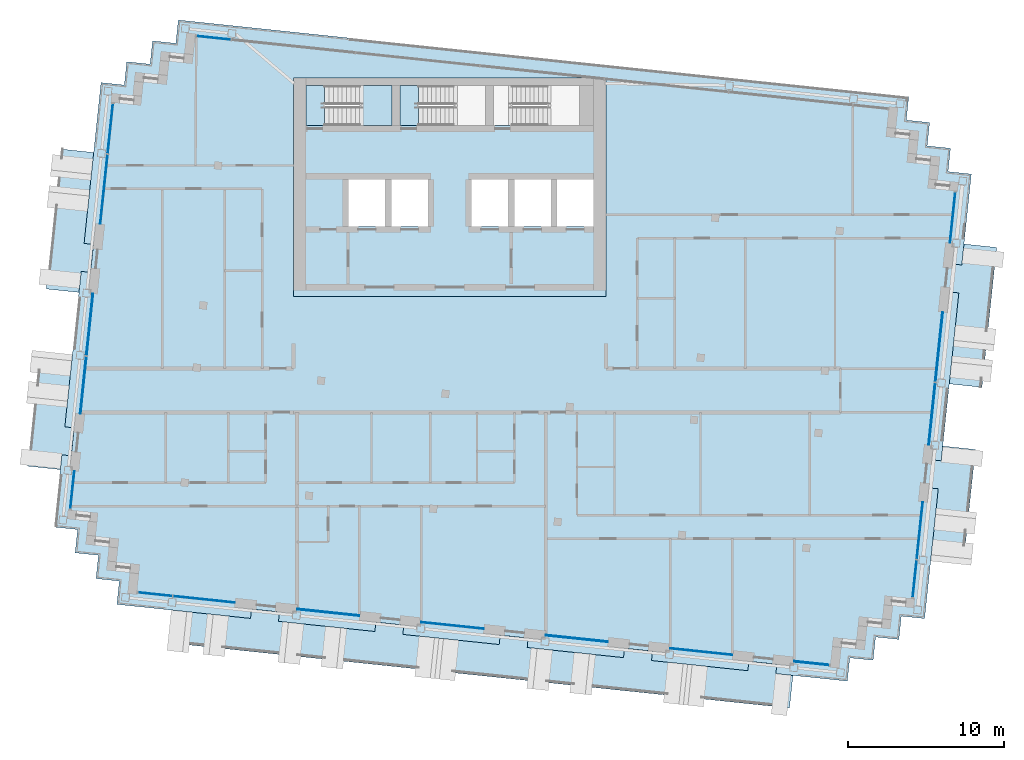
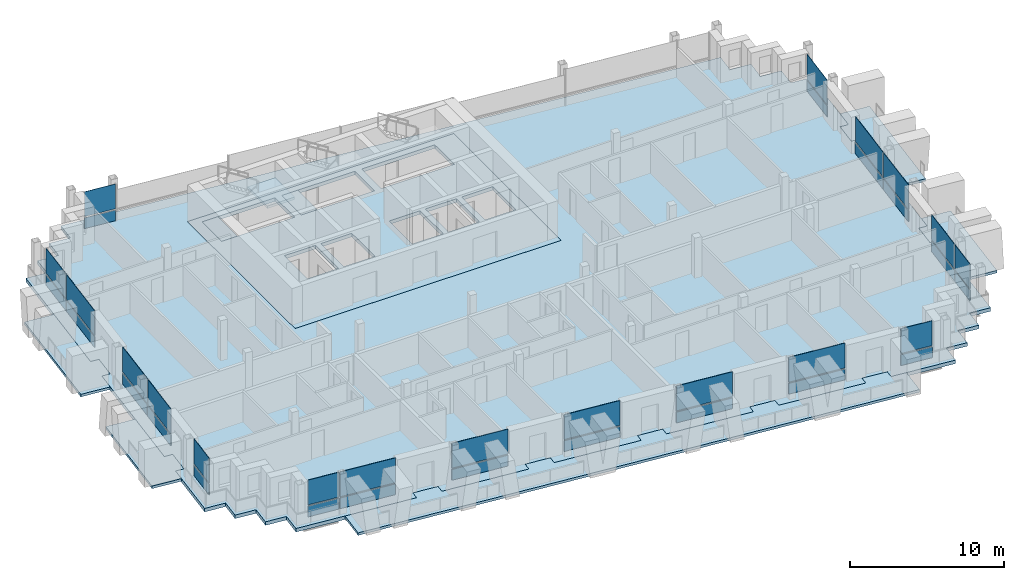
# One storey, part 7 of 16: 36 plates, 10 slabs, 14 elements without a shape of their own.
"""IFC4 building model written with IfcOpenShell, lengths in metres."""

from ifc_helpers import new_model, si_unit, direction, frame, origin, origin_2d, place, context, subcontext, project, spatial, polyline, rectangle, outline, extrude, material, layer, layer_set, type_object, element, aggregate, save


model = new_model("IFC4")

# Units and contexts
model_context = context("Model", 3, precision=1e-05, world=origin(), true_north=direction((0.0, 1.0)))
body_context = subcontext(model_context, "Body", "Model", "MODEL_VIEW")
ifc_project = project(units=[si_unit("LENGTHUNIT", "METRE"), si_unit("AREAUNIT", "SQUARE_METRE"), si_unit("VOLUMEUNIT", "CUBIC_METRE"), si_unit("PLANEANGLEUNIT", "RADIAN"), si_unit("MASSUNIT", "GRAM", prefix="KILO")], contexts=[model_context])

# Site, building, storey
site_placement = place(None, origin())
site = spatial("IfcSite", under=ifc_project, at=site_placement, CompositionType="ELEMENT")
building_placement = place(site_placement, origin())
building = spatial("IfcBuilding", under=site, at=building_placement, Name="Vidyagriha Tower", CompositionType="ELEMENT")
storey_placement = place(building_placement, frame((0.0, 0.0, 272.300048828125)))
storey = spatial("IfcBuildingStorey", under=building, at=storey_placement, Name="L71", CompositionType="ELEMENT", Elevation=272.300048828125)

# Curtain wall, plate
ifc_material_1 = material(Name="Aluminium and glass curtain wall", Category="aluminium")
curtain_wall_type = type_object("IfcCurtainWallType", Name="Dwelling skin unitised curtain wall", PredefinedType="USERDEFINED", material=ifc_material_1)
curtain_wall_1_placement = place(storey_placement, origin())
curtain_wall_1 = element("IfcCurtainWall", 1, at=curtain_wall_1_placement, inside=storey, type_object=curtain_wall_type, Name="CW1 dwelling skin", ObjectType="UNITISED", PredefinedType="USERDEFINED")
ifc_material_2 = material(Name="Glass dark ceramic-fritted spandrel", Category="glass")
ifc_layer_1 = layer(ifc_material_2, 0.0400390625)
ifc_layer_set_1 = layer_set([ifc_layer_1], Name="Glass dark ceramic-fritted spandrel")
plate_type_1 = type_object("IfcPlateType", Name="Ceramic-fritted spandrel panel", PredefinedType="CURTAIN_PANEL", material=ifc_layer_set_1)
plate_1_placement = place(storey_placement, frame((-15.11083984375, 22.56396484375, 0.0), z_axis=(0.0, 0.0, 1.0), x_axis=(-0.994521854435, 0.104528852722, 0.0)))
plate_1 = element("IfcPlate", 2, at=plate_1_placement, type_object=plate_type_1, Name="CW1 panel 7.1", PredefinedType="CURTAIN_PANEL", context=body_context, shape_type="SweptSolid", body=[
    extrude(rectangle(XDim=2.195068359375, YDim=0.0400390625, at=origin_2d()), origin(), (0.0, 0.0, 1.0), 0.85009765625),
])

# Curtain wall, plates
curtain_wall_2_placement = place(storey_placement, origin())
curtain_wall_2 = element("IfcCurtainWall", 3, at=curtain_wall_2_placement, inside=storey, type_object=curtain_wall_type, Name="CW1 dwelling skin", ObjectType="UNITISED", PredefinedType="USERDEFINED")
plate_2_placement = place(storey_placement, frame((-21.7216796875, 16.755615234375, 0.0), z_axis=(0.0, 0.0, 1.0), x_axis=(-0.104525282489, -0.994522229676, 0.0)))
plate_2 = element("IfcPlate", 4, at=plate_2_placement, type_object=plate_type_1, Name="CW1 panel 1.1", PredefinedType="CURTAIN_PANEL", context=body_context, shape_type="SweptSolid", body=[
    extrude(rectangle(XDim=3.195068359375, YDim=0.0400390625, at=origin_2d()), origin(), (0.0, 0.0, 1.0), 0.85009765625),
])
plate_3_placement = place(storey_placement, frame((-22.12939453125, 12.876953125, 0.0), z_axis=(0.0, 0.0, 1.0), x_axis=(-0.104525282489, -0.994522229676, 0.0)))
plate_3 = element("IfcPlate", 5, at=plate_3_placement, type_object=plate_type_1, Name="CW1 panel 2.1", PredefinedType="CURTAIN_PANEL", context=body_context, shape_type="SweptSolid", body=[
    extrude(rectangle(XDim=4.465087890625, YDim=0.0400390625, at=origin_2d()), origin(), (0.0, 0.0, 1.0), 0.85009765625),
])

# Curtain wall, plate
curtain_wall_3_placement = place(storey_placement, origin())
curtain_wall_3 = element("IfcCurtainWall", 6, at=curtain_wall_3_placement, inside=storey, type_object=curtain_wall_type, Name="CW1 dwelling skin", ObjectType="UNITISED", PredefinedType="USERDEFINED")
plate_4_placement = place(storey_placement, frame((-24.151611328125, -6.364501953125, 0.0), z_axis=(0.0, 0.0, 1.0), x_axis=(-0.10451613172, -0.994523191389, 0.0)))
plate_4 = element("IfcPlate", 7, at=plate_4_placement, type_object=plate_type_1, Name="CW1 panel 1.1", PredefinedType="CURTAIN_PANEL", context=body_context, shape_type="SweptSolid", body=[
    extrude(rectangle(XDim=2.43017578125, YDim=0.0400390625, at=origin_2d()), origin(), (0.0, 0.0, 1.0), 0.85009765625),
])

# Curtain wall, plates
curtain_wall_4_placement = place(storey_placement, origin())
curtain_wall_4 = element("IfcCurtainWall", 8, at=curtain_wall_4_placement, inside=storey, type_object=curtain_wall_type, Name="CW1 dwelling skin", ObjectType="UNITISED", PredefinedType="USERDEFINED")
plate_5_placement = place(storey_placement, frame((-18.852783203125, -13.0400390625, 0.0), z_axis=(0.0, 0.0, 1.0), x_axis=(0.994522400055, -0.104523661385, 0.0)))
plate_5 = element("IfcPlate", 9, at=plate_5_placement, type_object=plate_type_1, Name="CW1 panel 1.1", PredefinedType="CURTAIN_PANEL", context=body_context, shape_type="SweptSolid", body=[
    extrude(rectangle(XDim=2.195068359375, YDim=0.0400390625, at=origin_2d()), origin(), (0.0, 0.0, 1.0), 0.85009765625),
])
plate_6_placement = place(storey_placement, frame((-15.72021484375, -13.369384765625, 0.0), z_axis=(0.0, 0.0, 1.0), x_axis=(0.994522400055, -0.104523661385, 0.0)))
plate_6 = element("IfcPlate", 10, at=plate_6_placement, type_object=plate_type_1, Name="CW1 panel 2.1", PredefinedType="CURTAIN_PANEL", context=body_context, shape_type="SweptSolid", body=[
    extrude(rectangle(XDim=3.965087890625, YDim=0.0400390625, at=origin_2d()), origin(), (0.0, 0.0, 1.0), 0.85009765625),
])

# Curtain wall, plate
curtain_wall_5_placement = place(storey_placement, origin())
curtain_wall_5 = element("IfcCurtainWall", 11, at=curtain_wall_5_placement, inside=storey, type_object=curtain_wall_type, Name="CW1 dwelling skin", ObjectType="UNITISED", PredefinedType="USERDEFINED")
plate_7_placement = place(storey_placement, frame((0.1748046875, -15.039794921875, 0.0), z_axis=(0.0, 0.0, 1.0), x_axis=(0.994522016164, -0.104527313963, 0.0)))
plate_7 = element("IfcPlate", 12, at=plate_7_placement, type_object=plate_type_1, Name="CW1 panel 1.1", PredefinedType="CURTAIN_PANEL", context=body_context, shape_type="SweptSolid", body=[
    extrude(rectangle(XDim=4.0, YDim=0.0400390625, at=origin_2d()), origin(), (0.0, 0.0, 1.0), 0.85009765625),
])

curtain_wall_6_placement = place(storey_placement, origin())
curtain_wall_6 = element("IfcCurtainWall", 13, at=curtain_wall_6_placement, inside=storey, type_object=curtain_wall_type, Name="CW1 dwelling skin", ObjectType="UNITISED", PredefinedType="USERDEFINED")
plate_8_placement = place(storey_placement, frame((16.087158203125, -16.71240234375, 0.0), z_axis=(0.0, 0.0, 1.0), x_axis=(0.994522289309, -0.104524715101, 0.0)))
plate_8 = element("IfcPlate", 14, at=plate_8_placement, type_object=plate_type_1, Name="CW1 panel 1.1", PredefinedType="CURTAIN_PANEL", context=body_context, shape_type="SweptSolid", body=[
    extrude(rectangle(XDim=4.0, YDim=0.0400390625, at=origin_2d()), origin(), (0.0, 0.0, 1.0), 0.85009765625),
])

# Curtain wall, plates
curtain_wall_7_placement = place(storey_placement, origin())
curtain_wall_7 = element("IfcCurtainWall", 15, at=curtain_wall_7_placement, inside=storey, type_object=curtain_wall_type, Name="CW1 dwelling skin", ObjectType="UNITISED", PredefinedType="USERDEFINED")
plate_9_placement = place(storey_placement, frame((29.74951171875, -12.04736328125, 0.0), z_axis=(0.0, 0.0, 1.0), x_axis=(0.10453281607, 0.994521437861, 0.0)))
plate_9 = element("IfcPlate", 16, at=plate_9_placement, type_object=plate_type_1, Name="CW1 panel 1.1", PredefinedType="CURTAIN_PANEL", context=body_context, shape_type="SweptSolid", body=[
    extrude(rectangle(XDim=2.39501953125, YDim=0.0400390625, at=origin_2d()), origin(), (0.0, 0.0, 1.0), 0.85009765625),
])
plate_10_placement = place(storey_placement, frame((30.073486328125, -8.96435546875, 0.0), z_axis=(0.0, 0.0, 1.0), x_axis=(0.10453281607, 0.994521437861, 0.0)))
plate_10 = element("IfcPlate", 17, at=plate_10_placement, type_object=plate_type_1, Name="CW1 panel 2.1", PredefinedType="CURTAIN_PANEL", context=body_context, shape_type="SweptSolid", body=[
    extrude(rectangle(XDim=3.6650390625, YDim=0.0400390625, at=origin_2d()), origin(), (0.0, 0.0, 1.0), 0.85009765625),
])

# Curtain wall, plate
curtain_wall_8_placement = place(storey_placement, origin())
curtain_wall_8 = element("IfcCurtainWall", 18, at=curtain_wall_8_placement, inside=storey, type_object=curtain_wall_type, Name="CW1 dwelling skin", ObjectType="UNITISED", PredefinedType="USERDEFINED")
plate_11_placement = place(storey_placement, frame((32.1796875, 11.07275390625, 0.0), z_axis=(0.0, 0.0, 1.0), x_axis=(0.10451599791, 0.994523205451, 0.0)))
plate_11 = element("IfcPlate", 19, at=plate_11_placement, type_object=plate_type_1, Name="CW1 panel 1.1", PredefinedType="CURTAIN_PANEL", context=body_context, shape_type="SweptSolid", body=[
    extrude(rectangle(XDim=3.22998046875, YDim=0.0400390625, at=origin_2d()), origin(), (0.0, 0.0, 1.0), 0.85009765625),
])

# Slab
ifc_material_3 = material(Name="Concrete C60/75", Category="concrete")
ifc_layer_2 = layer(ifc_material_3, 0.280029296875)
ifc_layer_set_2 = layer_set([ifc_layer_2], Name="Concrete C60/75")
slab_type_1 = type_object("IfcSlabType", Name="Core floor slab 280 mm", PredefinedType="FLOOR", material=ifc_layer_set_2)
slab_1_placement = place(storey_placement, frame((0.0, 0.0, -0.280029296875)))
element("IfcSlab", 20, at=slab_1_placement, inside=storey, type_object=slab_type_1, Name="L71 core floor 1", PredefinedType="FLOOR", context=body_context, shape_type="SweptSolid", body=[
    extrude(outline(polyline([(-10.0, 6.0), (-10.0, 20.0), (10.0, 20.0), (10.0, 6.0), (-10.0, 6.0)]), holes=[polyline([(6.86669921875, 13.5), (6.86669921875, 10.5), (9.199951171875, 10.5), (9.199951171875, 13.5), (6.86669921875, 13.5)]), polyline([(4.0, 19.5), (2.800048828125, 19.5), (2.800048828125, 16.949951171875), (4.0, 16.949951171875), (8.300048828125, 16.949951171875), (8.300048828125, 19.5), (4.0, 19.5)]), polyline([(6.466796875, 13.5), (4.13330078125, 13.5), (4.13330078125, 10.5), (6.466796875, 10.5), (6.466796875, 13.5)]), polyline([(3.7333984375, 13.5), (1.39990234375, 13.5), (1.39990234375, 10.5), (3.7333984375, 10.5), (3.7333984375, 13.5)]), polyline([(-2.0, 16.949951171875), (2.300048828125, 16.949951171875), (2.300048828125, 19.5), (-2.0, 19.5), (-3.199951171875, 19.5), (-3.199951171875, 16.949951171875), (-2.0, 16.949951171875)]), polyline([(-3.7333984375, 13.5), (-3.7333984375, 10.5), (-1.39990234375, 10.5), (-1.39990234375, 13.5), (-3.7333984375, 13.5)]), polyline([(-9.199951171875, 19.5), (-9.199951171875, 16.949951171875), (-8.0, 16.949951171875), (-3.699951171875, 16.949951171875), (-3.699951171875, 19.5), (-8.0, 19.5), (-9.199951171875, 19.5)]), polyline([(-6.466796875, 13.5), (-6.466796875, 10.5), (-4.13330078125, 10.5), (-4.13330078125, 13.5), (-6.466796875, 13.5)])]), origin(), (0.0, 0.0, 1.0), 0.280029296875),
])

# Plate
ifc_material_4 = material(Name="Glass dark ceramic-fritted", Category="glass")
ifc_layer_3 = layer(ifc_material_4, 0.028076171875)
ifc_layer_set_3 = layer_set([ifc_layer_3], Name="Glass dark ceramic-fritted")
plate_type_2 = type_object("IfcPlateType", Name="Dark ceramic-fritted vision glass panel", PredefinedType="CURTAIN_PANEL", material=ifc_layer_set_3)
plate_12_placement = place(storey_placement, frame((-15.11083984375, 22.56396484375, 0.9501953125), z_axis=(0.0, 0.0, 1.0), x_axis=(-0.994521854435, 0.104528852722, 0.0)))
plate_12 = element("IfcPlate", 21, at=plate_12_placement, type_object=plate_type_2, Name="CW1 panel 7.2", PredefinedType="CURTAIN_PANEL", context=body_context, shape_type="SweptSolid", body=[
    extrude(rectangle(XDim=2.195068359375, YDim=0.028076171875, at=origin_2d()), origin(), (0.0, 0.0, 1.0), 1.969970703125),
])

aggregate(curtain_wall_1, [plate_1, plate_12])

plate_13_placement = place(storey_placement, frame((-21.7216796875, 16.755615234375, 0.9501953125), z_axis=(0.0, 0.0, 1.0), x_axis=(-0.104525282489, -0.994522229676, 0.0)))
plate_13 = element("IfcPlate", 22, at=plate_13_placement, type_object=plate_type_2, Name="CW1 panel 1.2", PredefinedType="CURTAIN_PANEL", context=body_context, shape_type="SweptSolid", body=[
    extrude(rectangle(XDim=3.195068359375, YDim=0.028076171875, at=origin_2d()), origin(), (0.0, 0.0, 1.0), 1.969970703125),
])

plate_14_placement = place(storey_placement, frame((-22.12939453125, 12.876953125, 0.9501953125), z_axis=(0.0, 0.0, 1.0), x_axis=(-0.104525282489, -0.994522229676, 0.0)))
plate_14 = element("IfcPlate", 23, at=plate_14_placement, type_object=plate_type_2, Name="CW1 panel 2.2", PredefinedType="CURTAIN_PANEL", context=body_context, shape_type="SweptSolid", body=[
    extrude(rectangle(XDim=4.465087890625, YDim=0.028076171875, at=origin_2d()), origin(), (0.0, 0.0, 1.0), 1.969970703125),
])

aggregate(curtain_wall_2, [plate_2, plate_13, plate_3, plate_14])

# Curtain wall, plates
curtain_wall_9_placement = place(storey_placement, origin())
curtain_wall_9 = element("IfcCurtainWall", 24, at=curtain_wall_9_placement, inside=storey, type_object=curtain_wall_type, Name="CW1 dwelling skin", ObjectType="UNITISED", PredefinedType="USERDEFINED")
plate_15_placement = place(storey_placement, frame((-23.040283203125, 4.209716796875, 0.9501953125), z_axis=(0.0, 0.0, 1.0), x_axis=(-0.10453267483, -0.994521452706, 0.0)))
plate_15 = element("IfcPlate", 25, at=plate_15_placement, type_object=plate_type_2, Name="CW1 panel 1.2", PredefinedType="CURTAIN_PANEL", context=body_context, shape_type="SweptSolid", body=[
    extrude(rectangle(XDim=3.965087890625, YDim=0.028076171875, at=origin_2d()), origin(), (0.0, 0.0, 1.0), 1.969970703125),
])
plate_16_placement = place(storey_placement, frame((-23.4462890625, 0.345947265625, 0.9501953125), z_axis=(0.0, 0.0, 1.0), x_axis=(-0.10453267483, -0.994521452706, 0.0)))
plate_16 = element("IfcPlate", 26, at=plate_16_placement, type_object=plate_type_2, Name="CW1 panel 2.2", PredefinedType="CURTAIN_PANEL", context=body_context, shape_type="SweptSolid", body=[
    extrude(rectangle(XDim=3.6650390625, YDim=0.028076171875, at=origin_2d()), origin(), (0.0, 0.0, 1.0), 1.969970703125),
])

# Plate
plate_17_placement = place(storey_placement, frame((-24.151611328125, -6.364501953125, 0.9501953125), z_axis=(0.0, 0.0, 1.0), x_axis=(-0.10451613172, -0.994523191389, 0.0)))
plate_17 = element("IfcPlate", 27, at=plate_17_placement, type_object=plate_type_2, Name="CW1 panel 1.2", PredefinedType="CURTAIN_PANEL", context=body_context, shape_type="SweptSolid", body=[
    extrude(rectangle(XDim=2.43017578125, YDim=0.028076171875, at=origin_2d()), origin(), (0.0, 0.0, 1.0), 1.969970703125),
])

aggregate(curtain_wall_3, [plate_4, plate_17])

plate_18_placement = place(storey_placement, frame((-18.852783203125, -13.0400390625, 0.9501953125), z_axis=(0.0, 0.0, 1.0), x_axis=(0.994522400055, -0.104523661385, 0.0)))
plate_18 = element("IfcPlate", 28, at=plate_18_placement, type_object=plate_type_2, Name="CW1 panel 1.2", PredefinedType="CURTAIN_PANEL", context=body_context, shape_type="SweptSolid", body=[
    extrude(rectangle(XDim=2.195068359375, YDim=0.028076171875, at=origin_2d()), origin(), (0.0, 0.0, 1.0), 1.969970703125),
])

plate_19_placement = place(storey_placement, frame((-15.72021484375, -13.369384765625, 0.9501953125), z_axis=(0.0, 0.0, 1.0), x_axis=(0.994522400055, -0.104523661385, 0.0)))
plate_19 = element("IfcPlate", 29, at=plate_19_placement, type_object=plate_type_2, Name="CW1 panel 2.2", PredefinedType="CURTAIN_PANEL", context=body_context, shape_type="SweptSolid", body=[
    extrude(rectangle(XDim=3.965087890625, YDim=0.028076171875, at=origin_2d()), origin(), (0.0, 0.0, 1.0), 1.969970703125),
])

aggregate(curtain_wall_4, [plate_5, plate_18, plate_6, plate_19])

# Curtain wall, plate
curtain_wall_10_placement = place(storey_placement, origin())
curtain_wall_10 = element("IfcCurtainWall", 30, at=curtain_wall_10_placement, inside=storey, type_object=curtain_wall_type, Name="CW1 dwelling skin", ObjectType="UNITISED", PredefinedType="USERDEFINED")
plate_20_placement = place(storey_placement, frame((-7.78125, -14.20361328125, 0.9501953125), z_axis=(0.0, 0.0, 1.0), x_axis=(0.994519690211, -0.104549441808, 0.0)))
plate_20 = element("IfcPlate", 31, at=plate_20_placement, type_object=plate_type_2, Name="CW1 panel 1.2", PredefinedType="CURTAIN_PANEL", context=body_context, shape_type="SweptSolid", body=[
    extrude(rectangle(XDim=4.0, YDim=0.028076171875, at=origin_2d()), origin(), (0.0, 0.0, 1.0), 1.969970703125),
])

# Plate
plate_21_placement = place(storey_placement, frame((0.1748046875, -15.039794921875, 0.9501953125), z_axis=(0.0, 0.0, 1.0), x_axis=(0.994522016164, -0.104527313963, 0.0)))
plate_21 = element("IfcPlate", 32, at=plate_21_placement, type_object=plate_type_2, Name="CW1 panel 1.2", PredefinedType="CURTAIN_PANEL", context=body_context, shape_type="SweptSolid", body=[
    extrude(rectangle(XDim=4.0, YDim=0.028076171875, at=origin_2d()), origin(), (0.0, 0.0, 1.0), 1.969970703125),
])

aggregate(curtain_wall_5, [plate_7, plate_21])

# Curtain wall, plate
curtain_wall_11_placement = place(storey_placement, origin())
curtain_wall_11 = element("IfcCurtainWall", 33, at=curtain_wall_11_placement, inside=storey, type_object=curtain_wall_type, Name="CW1 dwelling skin", ObjectType="UNITISED", PredefinedType="USERDEFINED")
plate_22_placement = place(storey_placement, frame((8.131103515625, -15.876220703125, 0.9501953125), z_axis=(0.0, 0.0, 1.0), x_axis=(0.994522289309, -0.104524715101, 0.0)))
plate_22 = element("IfcPlate", 34, at=plate_22_placement, type_object=plate_type_2, Name="CW1 panel 1.2", PredefinedType="CURTAIN_PANEL", context=body_context, shape_type="SweptSolid", body=[
    extrude(rectangle(XDim=4.0, YDim=0.028076171875, at=origin_2d()), origin(), (0.0, 0.0, 1.0), 1.969970703125),
])

# Plate
plate_23_placement = place(storey_placement, frame((16.087158203125, -16.71240234375, 0.9501953125), z_axis=(0.0, 0.0, 1.0), x_axis=(0.994522289309, -0.104524715101, 0.0)))
plate_23 = element("IfcPlate", 35, at=plate_23_placement, type_object=plate_type_2, Name="CW1 panel 1.2", PredefinedType="CURTAIN_PANEL", context=body_context, shape_type="SweptSolid", body=[
    extrude(rectangle(XDim=4.0, YDim=0.028076171875, at=origin_2d()), origin(), (0.0, 0.0, 1.0), 1.969970703125),
])

aggregate(curtain_wall_6, [plate_8, plate_23])

# Curtain wall, plate
curtain_wall_12_placement = place(storey_placement, origin())
curtain_wall_12 = element("IfcCurtainWall", 36, at=curtain_wall_12_placement, inside=storey, type_object=curtain_wall_type, Name="CW1 dwelling skin", ObjectType="UNITISED", PredefinedType="USERDEFINED")
plate_24_placement = place(storey_placement, frame((23.1630859375, -17.4560546875, 0.9501953125), z_axis=(0.0, 0.0, 1.0), x_axis=(0.994522592653, -0.10452182883, 0.0)))
plate_24 = element("IfcPlate", 37, at=plate_24_placement, type_object=plate_type_2, Name="CW1 panel 1.2", PredefinedType="CURTAIN_PANEL", context=body_context, shape_type="SweptSolid", body=[
    extrude(rectangle(XDim=2.22998046875, YDim=0.028076171875, at=origin_2d()), origin(), (0.0, 0.0, 1.0), 1.969970703125),
])

# Plate
plate_25_placement = place(storey_placement, frame((29.74951171875, -12.04736328125, 0.9501953125), z_axis=(0.0, 0.0, 1.0), x_axis=(0.10453281607, 0.994521437861, 0.0)))
plate_25 = element("IfcPlate", 38, at=plate_25_placement, type_object=plate_type_2, Name="CW1 panel 1.2", PredefinedType="CURTAIN_PANEL", context=body_context, shape_type="SweptSolid", body=[
    extrude(rectangle(XDim=2.39501953125, YDim=0.028076171875, at=origin_2d()), origin(), (0.0, 0.0, 1.0), 1.969970703125),
])

plate_26_placement = place(storey_placement, frame((30.073486328125, -8.96435546875, 0.9501953125), z_axis=(0.0, 0.0, 1.0), x_axis=(0.10453281607, 0.994521437861, 0.0)))
plate_26 = element("IfcPlate", 39, at=plate_26_placement, type_object=plate_type_2, Name="CW1 panel 2.2", PredefinedType="CURTAIN_PANEL", context=body_context, shape_type="SweptSolid", body=[
    extrude(rectangle(XDim=3.6650390625, YDim=0.028076171875, at=origin_2d()), origin(), (0.0, 0.0, 1.0), 1.969970703125),
])

aggregate(curtain_wall_7, [plate_9, plate_25, plate_10, plate_26])

# Curtain wall, plates
curtain_wall_13_placement = place(storey_placement, origin())
curtain_wall_13 = element("IfcCurtainWall", 40, at=curtain_wall_13_placement, inside=storey, type_object=curtain_wall_type, Name="CW1 dwelling skin", ObjectType="UNITISED", PredefinedType="USERDEFINED")
plate_27_placement = place(storey_placement, frame((30.859130859375, -1.490478515625, 0.9501953125), z_axis=(0.0, 0.0, 1.0), x_axis=(0.104529843047, 0.994521750347, 0.0)))
plate_27 = element("IfcPlate", 41, at=plate_27_placement, type_object=plate_type_2, Name="CW1 panel 1.2", PredefinedType="CURTAIN_PANEL", context=body_context, shape_type="SweptSolid", body=[
    extrude(rectangle(XDim=3.965087890625, YDim=0.028076171875, at=origin_2d()), origin(), (0.0, 0.0, 1.0), 1.969970703125),
])
plate_28_placement = place(storey_placement, frame((31.306884765625, 2.77099609375, 0.9501953125), z_axis=(0.0, 0.0, 1.0), x_axis=(0.104529843047, 0.994521750347, 0.0)))
plate_28 = element("IfcPlate", 42, at=plate_28_placement, type_object=plate_type_2, Name="CW1 panel 2.2", PredefinedType="CURTAIN_PANEL", context=body_context, shape_type="SweptSolid", body=[
    extrude(rectangle(XDim=4.465087890625, YDim=0.028076171875, at=origin_2d()), origin(), (0.0, 0.0, 1.0), 1.969970703125),
])

# Plate
plate_29_placement = place(storey_placement, frame((32.1796875, 11.07275390625, 0.9501953125), z_axis=(0.0, 0.0, 1.0), x_axis=(0.10451599791, 0.994523205451, 0.0)))
plate_29 = element("IfcPlate", 43, at=plate_29_placement, type_object=plate_type_2, Name="CW1 panel 1.2", PredefinedType="CURTAIN_PANEL", context=body_context, shape_type="SweptSolid", body=[
    extrude(rectangle(XDim=3.22998046875, YDim=0.028076171875, at=origin_2d()), origin(), (0.0, 0.0, 1.0), 1.969970703125),
])

aggregate(curtain_wall_8, [plate_11, plate_29])

# Slabs
ifc_material_5 = material(Name="Concrete C40/50", Category="concrete")
ifc_layer_4 = layer(ifc_material_5, 0.280029296875)
ifc_layer_set_4 = layer_set([ifc_layer_4], Name="Concrete C40/50")
slab_type_2 = type_object("IfcSlabType", Name="Exit stair floor landing 280 mm", PredefinedType="LANDING", material=ifc_layer_set_4)
slab_2_placement = place(storey_placement, frame((0.0, 0.0, -0.280029296875)))
element("IfcSlab", 44, at=slab_2_placement, inside=storey, type_object=slab_type_2, Name="ST1 floor landing L71", PredefinedType="LANDING", context=body_context, shape_type="SweptSolid", body=[
    extrude(outline(polyline([(-9.199951171875, 16.949951171875), (-8.0, 16.949951171875), (-8.0, 19.5), (-9.199951171875, 19.5), (-9.199951171875, 16.949951171875)])), origin(), (0.0, 0.0, 1.0), 0.280029296875),
])
slab_3_placement = place(storey_placement, frame((0.0, 0.0, -0.280029296875)))
element("IfcSlab", 45, at=slab_3_placement, inside=storey, type_object=slab_type_2, Name="ST2 floor landing L71", PredefinedType="LANDING", context=body_context, shape_type="SweptSolid", body=[
    extrude(outline(polyline([(-3.199951171875, 16.949951171875), (-2.0, 16.949951171875), (-2.0, 19.5), (-3.199951171875, 19.5), (-3.199951171875, 16.949951171875)])), origin(), (0.0, 0.0, 1.0), 0.280029296875),
])

# Stair, slab
ifc_material_6 = material(Name="Concrete C40/50", Category="concrete")
stair_type = type_object("IfcStairType", Name="Exit stair, half-turn, precast flights", PredefinedType="HALF_TURN_STAIR", material=ifc_material_6)
stair_placement = place(storey_placement, origin())
stair = element("IfcStair", 46, at=stair_placement, inside=storey, type_object=stair_type, Name="L71 Exit Stair ST1", PredefinedType="HALF_TURN_STAIR")
ifc_material_7 = material(Name="Concrete C40/50", Category="concrete")
ifc_layer_5 = layer(ifc_material_7, 0.199951171875)
ifc_layer_set_5 = layer_set([ifc_layer_5], Name="Concrete C40/50")
slab_type_3 = type_object("IfcSlabType", Name="Exit stair landing 200 mm", PredefinedType="LANDING", material=ifc_layer_set_5)
slab_4_placement = place(storey_placement, frame((0.0, 0.0, 1.39990234375)))
slab_4 = element("IfcSlab", 47, at=slab_4_placement, type_object=slab_type_3, Name="ST1 landing 1", PredefinedType="LANDING", context=body_context, shape_type="SweptSolid", body=[
    extrude(outline(polyline([(-5.760009765625, 16.949951171875), (-3.699951171875, 16.949951171875), (-3.699951171875, 19.5), (-5.760009765625, 19.5), (-5.760009765625, 16.949951171875)])), origin(), (0.0, 0.0, 1.0), 0.199951171875),
])
aggregate(stair, [slab_4])

# Plate
ifc_material_8 = material(Name="Aluminium black anodised", Category="aluminium")
ifc_layer_6 = layer(ifc_material_8, 0.06005859375)
ifc_layer_set_6 = layer_set([ifc_layer_6], Name="Aluminium black anodised")
plate_type_3 = type_object("IfcPlateType", Name="Operable black-metal vent panel", PredefinedType="CURTAIN_PANEL", material=ifc_layer_set_6)
plate_30_placement = place(storey_placement, frame((-23.040283203125, 4.209716796875, 0.0), z_axis=(0.0, 0.0, 1.0), x_axis=(-0.10453267483, -0.994521452706, 0.0)))
plate_30 = element("IfcPlate", 48, at=plate_30_placement, type_object=plate_type_3, Name="CW1 panel 1.1", PredefinedType="CURTAIN_PANEL", context=body_context, shape_type="SweptSolid", body=[
    extrude(rectangle(XDim=3.965087890625, YDim=0.06005859375, at=origin_2d()), origin(), (0.0, 0.0, 1.0), 0.85009765625),
])

plate_31_placement = place(storey_placement, frame((-23.4462890625, 0.345947265625, 0.0), z_axis=(0.0, 0.0, 1.0), x_axis=(-0.10453267483, -0.994521452706, 0.0)))
plate_31 = element("IfcPlate", 49, at=plate_31_placement, type_object=plate_type_3, Name="CW1 panel 2.1", PredefinedType="CURTAIN_PANEL", context=body_context, shape_type="SweptSolid", body=[
    extrude(rectangle(XDim=3.6650390625, YDim=0.06005859375, at=origin_2d()), origin(), (0.0, 0.0, 1.0), 0.85009765625),
])

aggregate(curtain_wall_9, [plate_30, plate_15, plate_31, plate_16])

plate_32_placement = place(storey_placement, frame((-7.78125, -14.20361328125, 0.0), z_axis=(0.0, 0.0, 1.0), x_axis=(0.994519690211, -0.104549441808, 0.0)))
plate_32 = element("IfcPlate", 50, at=plate_32_placement, type_object=plate_type_3, Name="CW1 panel 1.1", PredefinedType="CURTAIN_PANEL", context=body_context, shape_type="SweptSolid", body=[
    extrude(rectangle(XDim=4.0, YDim=0.06005859375, at=origin_2d()), origin(), (0.0, 0.0, 1.0), 0.85009765625),
])

aggregate(curtain_wall_10, [plate_32, plate_20])

plate_33_placement = place(storey_placement, frame((8.131103515625, -15.876220703125, 0.0), z_axis=(0.0, 0.0, 1.0), x_axis=(0.994522289309, -0.104524715101, 0.0)))
plate_33 = element("IfcPlate", 51, at=plate_33_placement, type_object=plate_type_3, Name="CW1 panel 1.1", PredefinedType="CURTAIN_PANEL", context=body_context, shape_type="SweptSolid", body=[
    extrude(rectangle(XDim=4.0, YDim=0.06005859375, at=origin_2d()), origin(), (0.0, 0.0, 1.0), 0.85009765625),
])

aggregate(curtain_wall_11, [plate_33, plate_22])

plate_34_placement = place(storey_placement, frame((23.1630859375, -17.4560546875, 0.0), z_axis=(0.0, 0.0, 1.0), x_axis=(0.994522592653, -0.10452182883, 0.0)))
plate_34 = element("IfcPlate", 52, at=plate_34_placement, type_object=plate_type_3, Name="CW1 panel 1.1", PredefinedType="CURTAIN_PANEL", context=body_context, shape_type="SweptSolid", body=[
    extrude(rectangle(XDim=2.22998046875, YDim=0.06005859375, at=origin_2d()), origin(), (0.0, 0.0, 1.0), 0.85009765625),
])

aggregate(curtain_wall_12, [plate_34, plate_24])

plate_35_placement = place(storey_placement, frame((30.859130859375, -1.490478515625, 0.0), z_axis=(0.0, 0.0, 1.0), x_axis=(0.104529843047, 0.994521750347, 0.0)))
plate_35 = element("IfcPlate", 53, at=plate_35_placement, type_object=plate_type_3, Name="CW1 panel 1.1", PredefinedType="CURTAIN_PANEL", context=body_context, shape_type="SweptSolid", body=[
    extrude(rectangle(XDim=3.965087890625, YDim=0.06005859375, at=origin_2d()), origin(), (0.0, 0.0, 1.0), 0.85009765625),
])

plate_36_placement = place(storey_placement, frame((31.306884765625, 2.77099609375, 0.0), z_axis=(0.0, 0.0, 1.0), x_axis=(0.104529843047, 0.994521750347, 0.0)))
plate_36 = element("IfcPlate", 54, at=plate_36_placement, type_object=plate_type_3, Name="CW1 panel 2.1", PredefinedType="CURTAIN_PANEL", context=body_context, shape_type="SweptSolid", body=[
    extrude(rectangle(XDim=4.465087890625, YDim=0.06005859375, at=origin_2d()), origin(), (0.0, 0.0, 1.0), 0.85009765625),
])

aggregate(curtain_wall_13, [plate_35, plate_27, plate_36, plate_28])

# Slabs
ifc_material_9 = material(Name="Concrete C50/60", Category="concrete")
ifc_layer_7 = layer(ifc_material_9, 0.280029296875)
ifc_layer_set_7 = layer_set([ifc_layer_7], Name="Concrete C50/60")
slab_type_4 = type_object("IfcSlabType", Name="Post-tensioned flat plate 280", PredefinedType="FLOOR", material=ifc_layer_set_7)
slab_5_placement = place(storey_placement, frame((0.0, 0.0, -0.280029296875)))
element("IfcSlab", 55, at=slab_5_placement, inside=storey, type_object=slab_type_4, Name="st-slab-L71-1", PredefinedType="FLOOR", context=body_context, shape_type="SweptSolid", body=[
    extrude(outline(polyline([(28.738037109375, -15.930419921875), (27.246337890625, -15.773681640625), (27.089599609375, -17.265380859375), (25.597900390625, -17.108642578125), (25.44091796875, -18.600341796875), (20.8662109375, -18.11962890625), (20.928955078125, -17.52294921875), (19.138916015625, -17.334716796875), (19.076171875, -17.931396484375), (12.91015625, -17.283447265625), (12.972900390625, -16.686767578125), (11.1826171875, -16.49853515625), (11.119873046875, -17.09521484375), (4.953857421875, -16.447265625), (5.0166015625, -15.8505859375), (3.226318359375, -15.662353515625), (3.163818359375, -16.259033203125), (-3.002197265625, -15.61083984375), (-2.939453125, -15.014404296875), (-4.729736328125, -14.826171875), (-4.79248046875, -15.4228515625), (-10.95849609375, -14.774658203125), (-10.895751953125, -14.177978515625), (-12.685791015625, -13.98974609375), (-12.74853515625, -14.586669921875), (-21.301513671875, -13.6875), (-21.144775390625, -12.19580078125), (-22.636474609375, -12.0390625), (-22.479736328125, -10.547119140625), (-23.971435546875, -10.390380859375), (-23.814697265625, -8.898681640625), (-25.306396484375, -8.741943359375), (-24.8203125, -4.1171875), (-24.223876953125, -4.179931640625), (-24.03564453125, -2.389892578125), (-24.63232421875, -2.3271484375), (-23.5869140625, 7.617919921875), (-22.990234375, 7.555419921875), (-22.80224609375, 9.345458984375), (-23.39892578125, 9.408203125), (-22.31689453125, 19.701416015625), (-20.8251953125, 19.544677734375), (-20.66845703125, 21.036376953125), (-19.176513671875, 20.879638671875), (-19.019775390625, 22.371337890625), (-17.528076171875, 22.214599609375), (-17.371337890625, 23.706298828125), (29.371337890625, 18.793701171875), (29.214599609375, 17.3017578125), (30.706298828125, 17.14501953125), (30.549560546875, 15.6533203125), (32.041259765625, 15.496337890625), (31.884521484375, 14.004638671875), (33.376220703125, 13.847900390625), (32.7646484375, 8.02978515625), (32.16796875, 8.092529296875), (31.97998046875, 6.302490234375), (32.57666015625, 6.23974609375), (31.44775390625, -4.501220703125), (30.85107421875, -4.4384765625), (30.662841796875, -6.228515625), (31.259521484375, -6.291259765625), (30.38671875, -14.595458984375), (28.89501953125, -14.438720703125), (28.738037109375, -15.930419921875)]), holes=[polyline([(-10.0, 20.0), (-10.0, 6.0), (10.0, 6.0), (10.0, 20.0), (-10.0, 20.0)])]), origin(), (0.0, 0.0, 1.0), 0.280029296875),
])
ifc_material_10 = material(Name="Precast concrete C40/50", Category="concrete")
ifc_layer_8 = layer(ifc_material_10, 0.199951171875)
ifc_layer_set_8 = layer_set([ifc_layer_8], Name="Precast concrete C40/50")
slab_type_5 = type_object("IfcSlabType", Name="Precast balcony slab 200", PredefinedType="USERDEFINED", material=ifc_layer_set_8)
slab_6_placement = place(storey_placement, frame((0.0, 0.0, -0.199951171875)))
element("IfcSlab", 56, at=slab_6_placement, inside=storey, type_object=slab_type_5, Name="Balcony slab L71 R14.1-1", ObjectType="BALCONY", PredefinedType="USERDEFINED", context=body_context, shape_type="SweptSolid", body=[
    extrude(outline(polyline([(-22.990234375, 7.555419921875), (-22.80224609375, 9.345458984375), (-23.39892578125, 9.408203125), (-22.787353515625, 15.226318359375), (-24.8759765625, 15.44580078125), (-25.816650390625, 6.4951171875), (-23.728271484375, 6.275390625), (-23.587158203125, 7.617919921875), (-22.990234375, 7.555419921875)])), origin(), (0.0, 0.0, 1.0), 0.199951171875),
])
slab_7_placement = place(storey_placement, frame((0.0, 0.0, -0.199951171875)))
element("IfcSlab", 57, at=slab_7_placement, inside=storey, type_object=slab_type_5, Name="Balcony slab L71 R14.2-2", ObjectType="BALCONY", PredefinedType="USERDEFINED", context=body_context, shape_type="SweptSolid", body=[
    extrude(outline(polyline([(-24.223876953125, -4.179931640625), (-24.03564453125, -2.389892578125), (-24.63232421875, -2.3271484375), (-24.146240234375, 2.29736328125), (-26.23486328125, 2.516845703125), (-27.00830078125, -4.842529296875), (-24.919921875, -5.06201171875), (-24.820556640625, -4.1171875), (-24.223876953125, -4.179931640625)])), origin(), (0.0, 0.0, 1.0), 0.199951171875),
])
slab_8_placement = place(storey_placement, frame((0.0, 0.0, -0.199951171875)))
element("IfcSlab", 58, at=slab_8_placement, inside=storey, type_object=slab_type_5, Name="Balcony slab L71 R21.1-5", ObjectType="BALCONY", PredefinedType="USERDEFINED", context=body_context, shape_type="SweptSolid", body=[
    extrude(outline(polyline([(20.8662109375, -18.11962890625), (20.928955078125, -17.52294921875), (19.138916015625, -17.334716796875), (19.076171875, -17.931396484375), (12.91015625, -17.283447265625), (12.972900390625, -16.686767578125), (11.1826171875, -16.49853515625), (11.119873046875, -17.09521484375), (4.953857421875, -16.447265625), (5.0166015625, -15.8505859375), (3.226318359375, -15.662353515625), (3.163818359375, -16.259033203125), (-3.002197265625, -15.611083984375), (-2.939453125, -15.014404296875), (-4.729736328125, -14.826171875), (-4.79248046875, -15.4228515625), (-10.95849609375, -14.774658203125), (-10.895751953125, -14.177978515625), (-12.685791015625, -13.98974609375), (-12.74853515625, -14.586669921875), (-17.82080078125, -14.053466796875), (-18.040283203125, -16.14208984375), (21.74072265625, -20.322998046875), (21.960205078125, -18.234619140625), (20.8662109375, -18.11962890625)])), origin(), (0.0, 0.0, 1.0), 0.199951171875),
])
slab_9_placement = place(storey_placement, frame((0.0, 0.0, -0.199951171875)))
element("IfcSlab", 59, at=slab_9_placement, inside=storey, type_object=slab_type_5, Name="Balcony slab L71 R28.1-1", ObjectType="BALCONY", PredefinedType="USERDEFINED", context=body_context, shape_type="SweptSolid", body=[
    extrude(outline(polyline([(31.259521484375, -6.291259765625), (30.7734375, -10.915771484375), (32.862060546875, -11.13525390625), (33.635498046875, -3.77587890625), (31.547119140625, -3.556396484375), (31.44775390625, -4.501220703125), (30.85107421875, -4.4384765625), (30.662841796875, -6.228515625), (31.259521484375, -6.291259765625)])), origin(), (0.0, 0.0, 1.0), 0.199951171875),
])
slab_10_placement = place(storey_placement, frame((0.0, 0.0, -0.199951171875)))
element("IfcSlab", 60, at=slab_10_placement, inside=storey, type_object=slab_type_5, Name="Balcony slab L71 R28.2-2", ObjectType="BALCONY", PredefinedType="USERDEFINED", context=body_context, shape_type="SweptSolid", body=[
    extrude(outline(polyline([(32.57666015625, 6.23974609375), (31.965087890625, 0.421875), (34.0537109375, 0.202392578125), (34.994384765625, 9.153076171875), (32.906005859375, 9.37255859375), (32.764892578125, 8.02978515625), (32.16796875, 8.092529296875), (31.97998046875, 6.302490234375), (32.57666015625, 6.23974609375)])), origin(), (0.0, 0.0, 1.0), 0.199951171875),
])

save(model, "model.ifc")
